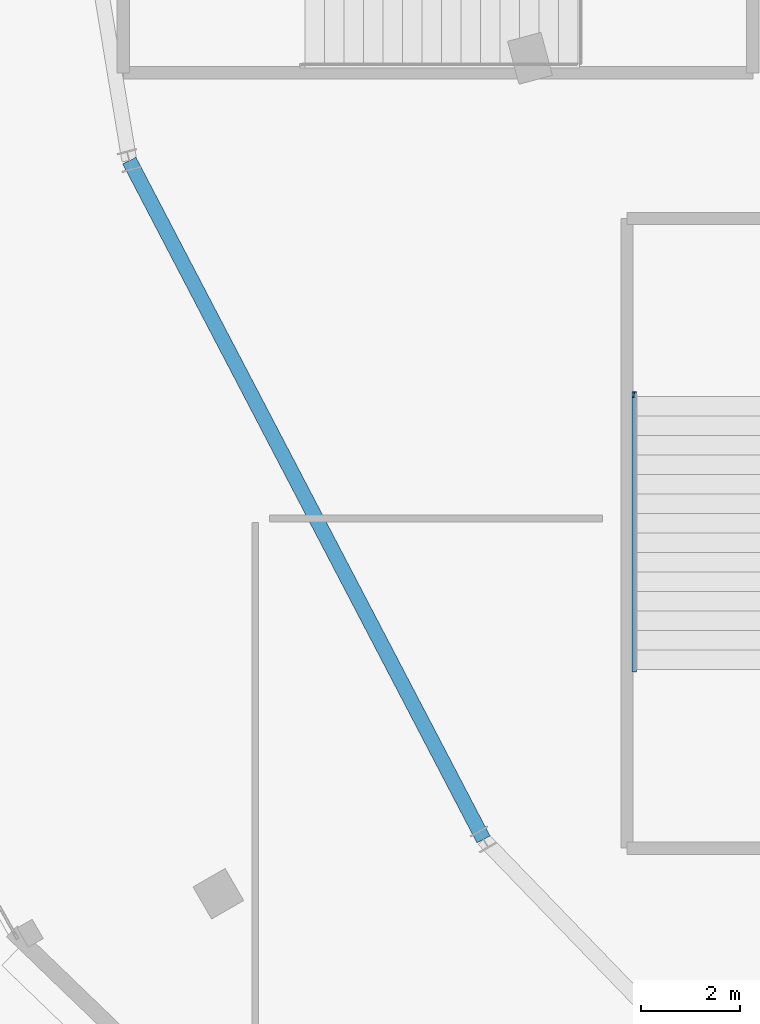
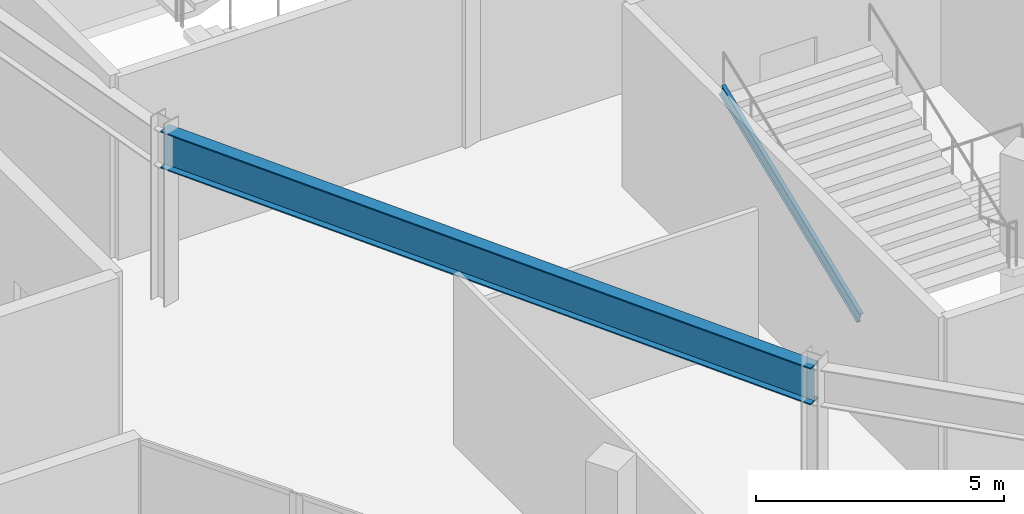
# One storey, part 25 of 123: 1 beam, 1 member.
"""IFC4 building model written with IfcOpenShell, lengths in metres."""

from ifc_helpers import new_model, si_unit, direction, frame, origin, origin_2d, place, context, subcontext, project, spatial, i_section, extrude, material, material_profile, profile_set, type_object, element, save


model = new_model("IFC4")

# Units and contexts
model_context = context("Model", 3, precision=1e-05, world=origin(), true_north=direction((0.0, 1.0)))
body_context = subcontext(model_context, "Body", "Model", "MODEL_VIEW")
ifc_project = project(units=[si_unit("LENGTHUNIT", "METRE"), si_unit("AREAUNIT", "SQUARE_METRE"), si_unit("VOLUMEUNIT", "CUBIC_METRE"), si_unit("PLANEANGLEUNIT", "RADIAN"), si_unit("MASSUNIT", "GRAM", prefix="KILO")], contexts=[model_context])

# Site, building, storey
site_placement = place(None, origin())
site = spatial("IfcSite", under=ifc_project, at=site_placement, CompositionType="ELEMENT")
building_placement = place(site_placement, origin())
building = spatial("IfcBuilding", under=site, at=building_placement, Name="Kalgoora Escarpment Arena", CompositionType="ELEMENT")
storey_placement = place(building_placement, frame((0.0, 0.0, 9.89990234375)))
storey = spatial("IfcBuildingStorey", under=building, at=storey_placement, Name="L02", CompositionType="ELEMENT", Elevation=9.89990234375)

# Beam
ifc_material_1 = material(Name="Structural steel Grade 350 (350 MPa)", Category="steel")
ifc_material_profile_1 = material_profile(ifc_material_1, i_section(OverallWidth=0.300048828125, OverallDepth=0.909912109375, WebThickness=0.011962890625, FlangeThickness=0.028076171875, at=origin_2d()))
ifc_profile_set_1 = profile_set([ifc_material_profile_1], Name="Structural steel Grade 350 (350 MPa)")
beam_type = type_object("IfcBeamType", Name="BM-SPANDREL-900WB218", PredefinedType="SPANDREL", material=ifc_profile_set_1)
beam_placement = place(storey_placement, frame((23.04638671875, 49.247314453125, 3.76513671875), z_axis=(0.462595600895, -0.886569405085, 0.0), x_axis=(0.886569405085, 0.462595600895, 0.0)))
element("IfcBeam", 1, at=beam_placement, inside=storey, type_object=beam_type, Name="L02 Circumferential concourse girder RCONC2 900WB218", PredefinedType="SPANDREL", context=body_context, shape_type="SweptSolid", body=[
    extrude(i_section(OverallWidth=0.300048828125, OverallDepth=0.909912109375, WebThickness=0.011962890625, FlangeThickness=0.028076171875, at=origin_2d()), origin(), (0.0, 0.0, 1.0), 15.506103515625),
])

# Member
ifc_material_2 = material(Name="Structural steel AS/NZS 3679 (300 MPa)", Category="steel")
ifc_material_profile_2 = material_profile(ifc_material_2, i_section(OverallWidth=0.090087890625, OverallDepth=0.300048828125, WebThickness=0.008056640625, FlangeThickness=0.01611328125, at=origin_2d()))
ifc_profile_set_2 = profile_set([ifc_material_profile_2], Name="Structural steel AS/NZS 3679 (300 MPa)")
member_type = type_object("IfcMemberType", Name="MEM-STRINGER-PFC", PredefinedType="STRINGER", material=ifc_profile_set_2)
member_placement = place(storey_placement, frame((33.27001953125, 38.949951171875, 2.210205078125), z_axis=(0.0, 0.926975796404, 0.375121144273), x_axis=(-1.0, 0.0, 0.0)))
element("IfcMember", 2, at=member_placement, inside=storey, type_object=member_type, Name="ST20 L02 steel stair stringer 2", PredefinedType="STRINGER", context=body_context, shape_type="SweptSolid", body=[
    extrude(i_section(OverallWidth=0.090087890625, OverallDepth=0.300048828125, WebThickness=0.008056640625, FlangeThickness=0.01611328125, at=origin_2d()), origin(), (0.0, 0.0, 1.0), 5.998046875),
])

save(model, "model.ifc")
